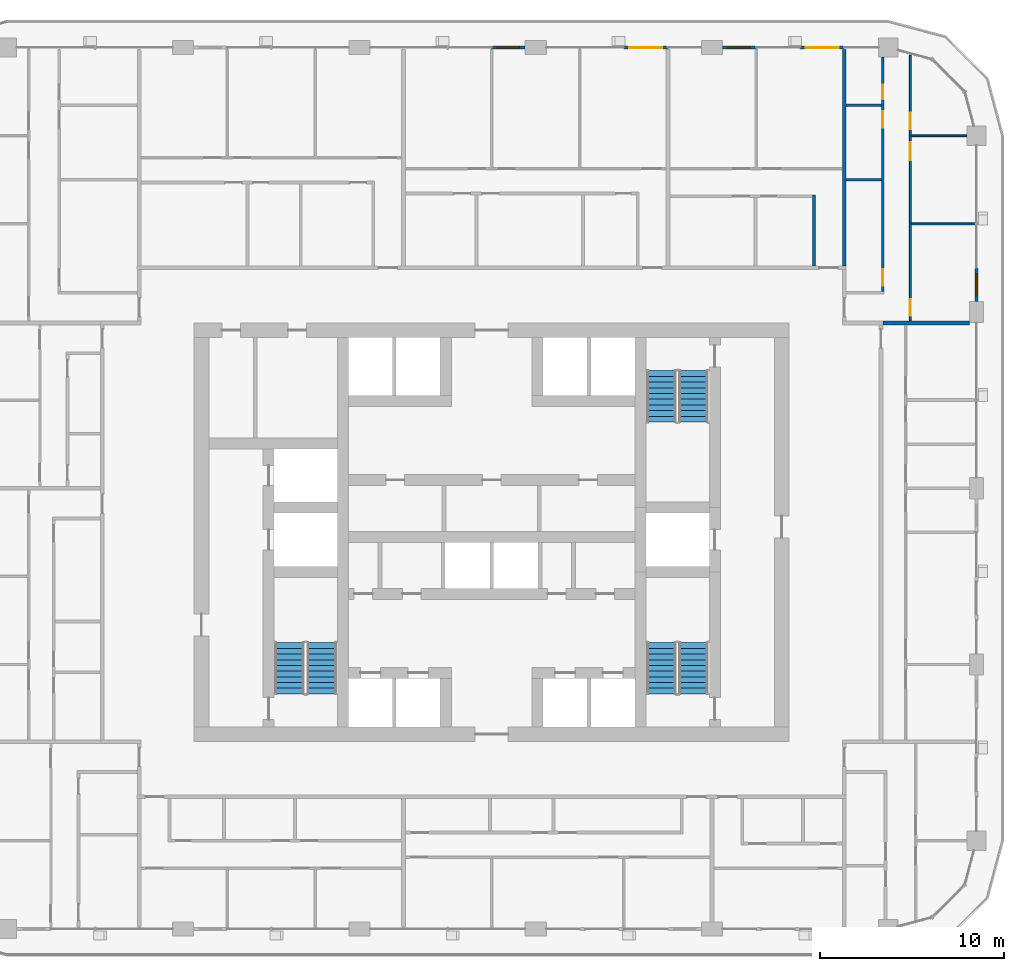
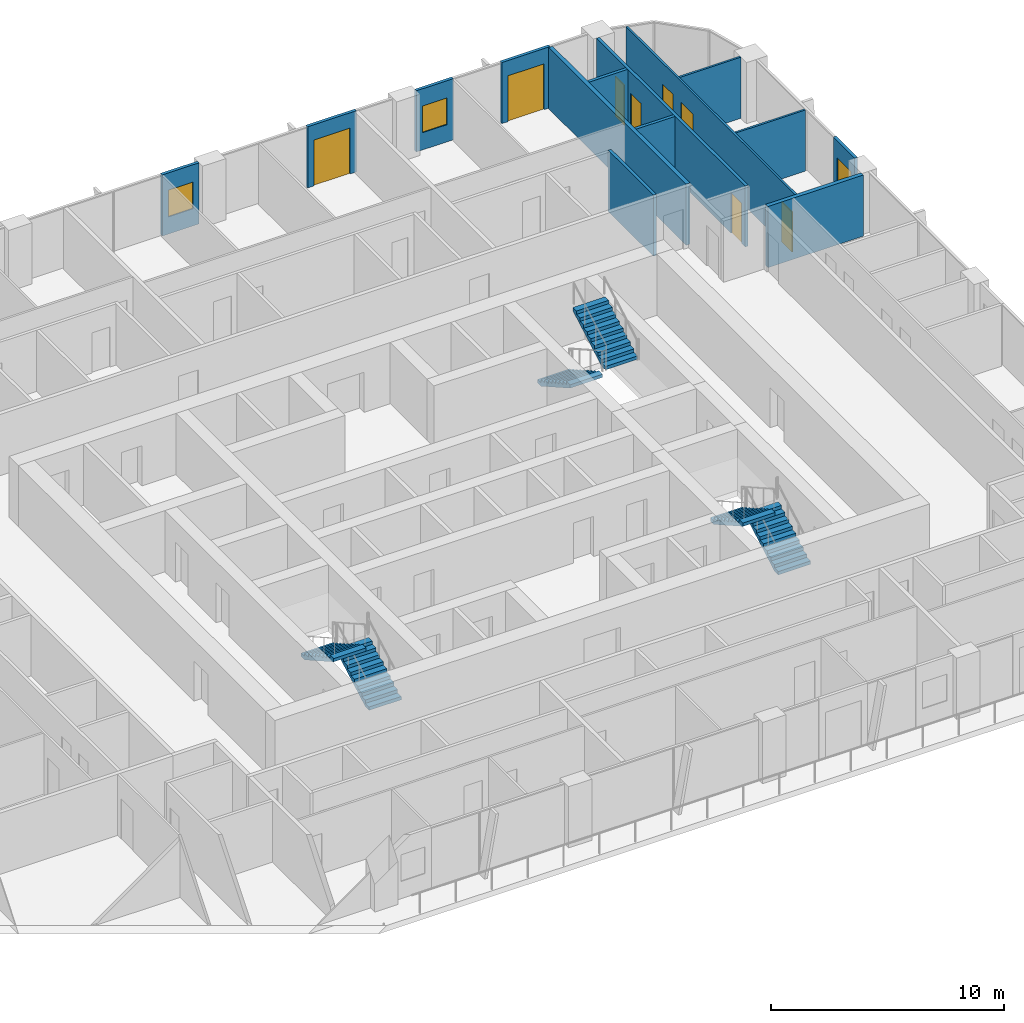
# One storey, part 15 of 22: 14 walls, 8 doors, 6 stair flights, 3 windows, 11 openings, 3 elements without a shape of their own.
"""IFC4 building model written with IfcOpenShell, lengths in metres."""

from ifc_helpers import new_model, si_unit, direction, frame, frame_2d, origin, place, context, subcontext, project, spatial, polyline, rectangle, outline, extrude, material, layer, layer_set, type_object, element, fill, aggregate, save


model = new_model("IFC4")

# Units and contexts
model_context = context("Model", 3, precision=1e-05, world=origin(), true_north=direction((0.0, 1.0)))
body_context = subcontext(model_context, "Body", "Model", "MODEL_VIEW")
ifc_project = project(units=[si_unit("LENGTHUNIT", "METRE"), si_unit("AREAUNIT", "SQUARE_METRE"), si_unit("VOLUMEUNIT", "CUBIC_METRE"), si_unit("PLANEANGLEUNIT", "RADIAN"), si_unit("MASSUNIT", "GRAM", prefix="KILO")], contexts=[model_context])

# Site, building, storey
site_placement = place(None, origin())
site = spatial("IfcSite", under=ifc_project, at=site_placement, CompositionType="ELEMENT")
building_placement = place(site_placement, origin())
building = spatial("IfcBuilding", under=site, at=building_placement, Name="Madar Terraces", CompositionType="ELEMENT")
storey_placement = place(building_placement, frame((0.0, 0.0, 122.60009765625)))
storey = spatial("IfcBuildingStorey", under=building, at=storey_placement, Name="L31", CompositionType="ELEMENT", Elevation=122.60009765625)

# Wall, opening, window
ifc_material_1 = material(Name="Aluminium composite panel, black, over insulated backing", Category="aluminium")
ifc_layer_1 = layer(ifc_material_1, 0.14990234375)
ifc_layer_set_1 = layer_set([ifc_layer_1], Name="Facade bay panel 150")
wall_type_1 = type_object("IfcWallType", Name="Facade bay panel 150", PredefinedType="SOLIDWALL", material=ifc_layer_set_1)
wall_1_placement = place(storey_placement, frame((57.60009765625, 38.97509765625, 0.0), z_axis=(0.0, 0.0, 1.0), x_axis=(0.0, 1.0, 0.0)))
wall_1 = element("IfcWall", 1, at=wall_1_placement, inside=storey, type_object=wall_type_1, Name="Facade bay panel", PredefinedType="SOLIDWALL", context=body_context, shape_type="SweptSolid", body=[
    extrude(rectangle(XDim=1.824951171875, YDim=0.14990234375, at=frame_2d((0.91259765625, 0.0))), origin(), (0.0, 0.0, 1.0), 3.199951171875),
])
opening_1_placement = place(wall_1_placement, frame((0.3125, 0.0, 0.89990234375)))
opening_1 = element("IfcOpeningElement", 2, at=opening_1_placement, cuts=wall_1, Name="Opening W1", PredefinedType="OPENING", context=body_context, shape_type="SweptSolid", body=[
    extrude(rectangle(XDim=1.199951171875, YDim=1.39990234375, at=frame_2d((0.60009765625, 0.699951171875))), frame((0.0, 0.0849609375, 0.0), z_axis=(0.0, -1.0, 0.0), x_axis=(1.0, 0.0, 0.0)), (0.0, 0.0, 1.0), 0.169921875),
])
ifc_material_2 = material(Name="Glass, clear, with black aluminium frame", Category="aluminium")
window_type = type_object("IfcWindowType", Name="Vent window 1200 x 1400", PartitioningType="SINGLE_PANEL", PredefinedType="WINDOW", material=ifc_material_2)
window_1_placement = place(opening_1_placement, origin())
window_1 = element("IfcWindow", 3, at=window_1_placement, inside=storey, type_object=window_type, Name="Operable vent window", OverallHeight=1.39990234375, OverallWidth=1.199951171875, PartitioningType="SINGLE_PANEL", PredefinedType="WINDOW", context=body_context, shape_type="SweptSolid", body=[
    extrude(rectangle(XDim=1.199951171875, YDim=1.39990234375, at=frame_2d((0.60009765625, 0.699951171875))), frame((0.0, 0.030029296875, 0.0), z_axis=(0.0, -1.0, 0.0), x_axis=(1.0, 0.0, 0.0)), (0.0, 0.0, 1.0), 0.06005859375),
])
fill(opening_1, window_1)

# Wall, opening, door
wall_2_placement = place(storey_placement, frame((50.39990234375, 52.800048828125, 0.0), z_axis=(0.0, 0.0, 1.0), x_axis=(-1.0, 0.0, 0.0)))
wall_2 = element("IfcWall", 4, at=wall_2_placement, inside=storey, type_object=wall_type_1, Name="Facade bay panel", PredefinedType="SOLIDWALL", context=body_context, shape_type="SweptSolid", body=[
    extrude(rectangle(XDim=2.39990234375, YDim=0.14990234375, at=frame_2d((1.199951171875, 0.0))), origin(), (0.0, 0.0, 1.0), 3.199951171875),
])
opening_2_placement = place(wall_2_placement, frame((0.300048828125, 0.0, 0.0)))
opening_2 = element("IfcOpeningElement", 5, at=opening_2_placement, cuts=wall_2, Name="Opening ED1", PredefinedType="OPENING", context=body_context, shape_type="SweptSolid", body=[
    extrude(rectangle(XDim=1.800048828125, YDim=2.39990234375, at=frame_2d((0.89990234375, 1.199951171875))), frame((0.0, 0.0849609375, 0.0), z_axis=(0.0, -1.0, 0.0), x_axis=(1.0, 0.0, 0.0)), (0.0, 0.0, 1.0), 0.169921875),
])
ifc_material_3 = material(Name="Glass, clear, with black aluminium frame", Category="aluminium")
door_type_1 = type_object("IfcDoorType", Name="Balcony and terrace sliding door 1800 x 2400", OperationType="SLIDING_TO_LEFT", PredefinedType="DOOR", material=ifc_material_3)
door_1_placement = place(opening_2_placement, origin())
door_1 = element("IfcDoor", 6, at=door_1_placement, inside=storey, type_object=door_type_1, Name="Balcony door", OperationType="SLIDING_TO_LEFT", OverallHeight=2.39990234375, OverallWidth=1.800048828125, PredefinedType="DOOR", context=body_context, shape_type="SweptSolid", body=[
    extrude(rectangle(XDim=1.800048828125, YDim=2.39990234375, at=frame_2d((0.89990234375, 1.199951171875))), frame((0.0, 0.02490234375, 0.0), z_axis=(0.0, -1.0, 0.0), x_axis=(1.0, 0.0, 0.0)), (0.0, 0.0, 1.0), 0.050048828125),
])
fill(opening_2, door_1)

# Wall, opening, window
wall_3_placement = place(storey_placement, frame((45.60009765625, 52.800048828125, 0.0), z_axis=(0.0, 0.0, 1.0), x_axis=(-1.0, 0.0, 0.0)))
wall_3 = element("IfcWall", 7, at=wall_3_placement, inside=storey, type_object=wall_type_1, Name="Facade bay panel", PredefinedType="SOLIDWALL", context=body_context, shape_type="SweptSolid", body=[
    extrude(rectangle(XDim=1.8251953125, YDim=0.14990234375, at=frame_2d((0.91259765625, 0.0))), origin(), (0.0, 0.0, 1.0), 3.199951171875),
])
opening_3_placement = place(wall_3_placement, frame((0.3125, 0.0, 0.89990234375)))
opening_3 = element("IfcOpeningElement", 8, at=opening_3_placement, cuts=wall_3, Name="Opening W1", PredefinedType="OPENING", context=body_context, shape_type="SweptSolid", body=[
    extrude(rectangle(XDim=1.199951171875, YDim=1.39990234375, at=frame_2d((0.60009765625, 0.699951171875))), frame((0.0, 0.0849609375, 0.0), z_axis=(0.0, -1.0, 0.0), x_axis=(1.0, 0.0, 0.0)), (0.0, 0.0, 1.0), 0.169921875),
])
window_2_placement = place(opening_3_placement, origin())
window_2 = element("IfcWindow", 9, at=window_2_placement, inside=storey, type_object=window_type, Name="Operable vent window", OverallHeight=1.39990234375, OverallWidth=1.199951171875, PartitioningType="SINGLE_PANEL", PredefinedType="WINDOW", context=body_context, shape_type="SweptSolid", body=[
    extrude(rectangle(XDim=1.199951171875, YDim=1.39990234375, at=frame_2d((0.60009765625, 0.699951171875))), frame((0.0, 0.030029296875, 0.0), z_axis=(0.0, -1.0, 0.0), x_axis=(1.0, 0.0, 0.0)), (0.0, 0.0, 1.0), 0.06005859375),
])
fill(opening_3, window_2)

# Wall, opening, door
wall_4_placement = place(storey_placement, frame((40.800048828125, 52.800048828125, 0.0), z_axis=(0.0, 0.0, 1.0), x_axis=(-1.0, 0.0, 0.0)))
wall_4 = element("IfcWall", 10, at=wall_4_placement, inside=storey, type_object=wall_type_1, Name="Facade bay panel", PredefinedType="SOLIDWALL", context=body_context, shape_type="SweptSolid", body=[
    extrude(rectangle(XDim=2.400146484375, YDim=0.14990234375, at=frame_2d((1.2001953125, 0.0))), origin(), (0.0, 0.0, 1.0), 3.199951171875),
])
opening_4_placement = place(wall_4_placement, frame((0.300048828125, 0.0, 0.0)))
opening_4 = element("IfcOpeningElement", 11, at=opening_4_placement, cuts=wall_4, Name="Opening ED1", PredefinedType="OPENING", context=body_context, shape_type="SweptSolid", body=[
    extrude(rectangle(XDim=1.800048828125, YDim=2.39990234375, at=frame_2d((0.89990234375, 1.199951171875))), frame((0.0, 0.0849609375, 0.0), z_axis=(0.0, -1.0, 0.0), x_axis=(1.0, 0.0, 0.0)), (0.0, 0.0, 1.0), 0.169921875),
])
door_2_placement = place(opening_4_placement, origin())
door_2 = element("IfcDoor", 12, at=door_2_placement, inside=storey, type_object=door_type_1, Name="Balcony door", OperationType="SLIDING_TO_RIGHT", OverallHeight=2.39990234375, OverallWidth=1.800048828125, PredefinedType="DOOR", context=body_context, shape_type="SweptSolid", body=[
    extrude(rectangle(XDim=1.800048828125, YDim=2.39990234375, at=frame_2d((0.89990234375, 1.199951171875))), frame((0.0, 0.02490234375, 0.0), z_axis=(0.0, -1.0, 0.0), x_axis=(1.0, 0.0, 0.0)), (0.0, 0.0, 1.0), 0.050048828125),
])
fill(opening_4, door_2)

# Wall, opening, window
wall_5_placement = place(storey_placement, frame((33.02490234375, 52.800048828125, 0.0), z_axis=(0.0, 0.0, 1.0), x_axis=(-1.0, 0.0, 0.0)))
wall_5 = element("IfcWall", 13, at=wall_5_placement, inside=storey, type_object=wall_type_1, Name="Facade bay panel", PredefinedType="SOLIDWALL", context=body_context, shape_type="SweptSolid", body=[
    extrude(rectangle(XDim=1.824951171875, YDim=0.14990234375, at=frame_2d((0.91259765625, 0.0))), origin(), (0.0, 0.0, 1.0), 3.199951171875),
])
opening_5_placement = place(wall_5_placement, frame((0.3125, 0.0, 0.89990234375)))
opening_5 = element("IfcOpeningElement", 14, at=opening_5_placement, cuts=wall_5, Name="Opening W1", PredefinedType="OPENING", context=body_context, shape_type="SweptSolid", body=[
    extrude(rectangle(XDim=1.199951171875, YDim=1.39990234375, at=frame_2d((0.60009765625, 0.699951171875))), frame((0.0, 0.0849609375, 0.0), z_axis=(0.0, -1.0, 0.0), x_axis=(1.0, 0.0, 0.0)), (0.0, 0.0, 1.0), 0.169921875),
])
window_3_placement = place(opening_5_placement, origin())
window_3 = element("IfcWindow", 15, at=window_3_placement, inside=storey, type_object=window_type, Name="Operable vent window", OverallHeight=1.39990234375, OverallWidth=1.199951171875, PartitioningType="SINGLE_PANEL", PredefinedType="WINDOW", context=body_context, shape_type="SweptSolid", body=[
    extrude(rectangle(XDim=1.199951171875, YDim=1.39990234375, at=frame_2d((0.60009765625, 0.699951171875))), frame((0.0, 0.030029296875, 0.0), z_axis=(0.0, -1.0, 0.0), x_axis=(1.0, 0.0, 0.0)), (0.0, 0.0, 1.0), 0.06005859375),
])
fill(opening_5, window_3)

# Walls
ifc_material_4 = material(Name="Gypsum board on steel studs", Category="steel")
ifc_layer_2 = layer(ifc_material_4, 0.10009765625)
ifc_layer_set_2 = layer_set([ifc_layer_2], Name="Flat partition 100")
wall_type_2 = type_object("IfcWallType", Name="Flat partition 100", PredefinedType="PARTITIONING", material=ifc_layer_set_2)
wall_6_placement = place(storey_placement, frame((54.050048828125, 43.199951171875, 0.0), z_axis=(0.0, 0.0, 1.0), x_axis=(1.0, 0.0, 0.0)))
element("IfcWall", 16, at=wall_6_placement, inside=storey, type_object=wall_type_2, Name="Flat partition 100", PredefinedType="PARTITIONING", context=body_context, shape_type="SweptSolid", body=[
    extrude(rectangle(XDim=3.449951171875, YDim=0.10009765625, at=frame_2d((1.72509765625, 0.0))), origin(), (0.0, 0.0, 1.0), 3.199951171875),
])
wall_7_placement = place(storey_placement, frame((54.050048828125, 48.0, 0.0), z_axis=(0.0, 0.0, 1.0), x_axis=(1.0, 0.0, 0.0)))
element("IfcWall", 17, at=wall_7_placement, inside=storey, type_object=wall_type_2, Name="Flat partition 100", PredefinedType="PARTITIONING", context=body_context, shape_type="SweptSolid", body=[
    extrude(rectangle(XDim=3.02490234375, YDim=0.10009765625, at=frame_2d((1.512451171875, 0.0))), origin(), (0.0, 0.0, 1.0), 3.199951171875),
])

# Wall, openings, doors
wall_8_placement = place(storey_placement, frame((54.0, 52.37841796875, 0.0), z_axis=(0.0, 0.0, 1.0), x_axis=(0.0, -1.0, 0.0)))
wall_8 = element("IfcWall", 18, at=wall_8_placement, inside=storey, type_object=wall_type_2, Name="Flat partition 100", PredefinedType="PARTITIONING", context=body_context, shape_type="SweptSolid", body=[
    extrude(rectangle(XDim=14.478515625, YDim=0.10009765625, at=frame_2d((7.2392578125, 0.0))), origin(), (0.0, 0.0, 1.0), 3.199951171875),
])
opening_6_placement = place(wall_8_placement, frame((13.278564453125, 0.0, 0.0)))
opening_6 = element("IfcOpeningElement", 19, at=opening_6_placement, cuts=wall_8, Name="Opening D2", PredefinedType="OPENING", context=body_context, shape_type="SweptSolid", body=[
    extrude(rectangle(XDim=0.89990234375, YDim=2.10009765625, at=frame_2d((0.449951171875, 1.050048828125))), frame((0.0, 0.06005859375, 0.0), z_axis=(0.0, -1.0, 0.0), x_axis=(1.0, 0.0, 0.0)), (0.0, 0.0, 1.0), 0.1201171875),
])
opening_7_placement = place(wall_8_placement, frame((4.728515625, 0.0, 0.0)))
opening_7 = element("IfcOpeningElement", 20, at=opening_7_placement, cuts=wall_8, Name="Opening D3", PredefinedType="OPENING", context=body_context, shape_type="SweptSolid", body=[
    extrude(rectangle(XDim=1.0, YDim=2.10009765625, at=frame_2d((0.5, 1.050048828125))), frame((0.0, 0.06005859375, 0.0), z_axis=(0.0, -1.0, 0.0), x_axis=(1.0, 0.0, 0.0)), (0.0, 0.0, 1.0), 0.1201171875),
])
opening_8_placement = place(wall_8_placement, frame((3.12841796875, 0.0, 0.0)))
opening_8 = element("IfcOpeningElement", 21, at=opening_8_placement, cuts=wall_8, Name="Opening D2", PredefinedType="OPENING", context=body_context, shape_type="SweptSolid", body=[
    extrude(rectangle(XDim=0.89990234375, YDim=2.10009765625, at=frame_2d((0.449951171875, 1.050048828125))), frame((0.0, 0.06005859375, 0.0), z_axis=(0.0, -1.0, 0.0), x_axis=(1.0, 0.0, 0.0)), (0.0, 0.0, 1.0), 0.1201171875),
])
ifc_material_5 = material(Name="Timber door leaf", Category="wood")
door_type_2 = type_object("IfcDoorType", Name="Flat living room door 1000", OperationType="NOTDEFINED", PredefinedType="DOOR", material=ifc_material_5)
door_3_placement = place(opening_7_placement, origin())
door_3 = element("IfcDoor", 22, at=door_3_placement, inside=storey, type_object=door_type_2, Name="Flat living room door 1000", OperationType="SINGLE_SWING_LEFT", OverallHeight=2.10009765625, OverallWidth=1.0, PredefinedType="DOOR", context=body_context, shape_type="SweptSolid", body=[
    extrude(rectangle(XDim=1.0, YDim=2.10009765625, at=frame_2d((0.5, 1.050048828125))), frame((0.0, 0.02490234375, 0.0), z_axis=(0.0, -1.0, 0.0), x_axis=(1.0, 0.0, 0.0)), (0.0, 0.0, 1.0), 0.050048828125),
])
fill(opening_7, door_3)
ifc_material_6 = material(Name="Timber door leaf", Category="wood")
door_type_3 = type_object("IfcDoorType", Name="Flat room door 900", OperationType="NOTDEFINED", PredefinedType="DOOR", material=ifc_material_6)
door_4_placement = place(opening_6_placement, origin())
door_4 = element("IfcDoor", 23, at=door_4_placement, inside=storey, type_object=door_type_3, Name="Flat room door 900", OperationType="SINGLE_SWING_RIGHT", OverallHeight=2.10009765625, OverallWidth=0.89990234375, PredefinedType="DOOR", context=body_context, shape_type="SweptSolid", body=[
    extrude(rectangle(XDim=0.89990234375, YDim=2.10009765625, at=frame_2d((0.449951171875, 1.050048828125))), frame((0.0, 0.02490234375, 0.0), z_axis=(0.0, -1.0, 0.0), x_axis=(1.0, 0.0, 0.0)), (0.0, 0.0, 1.0), 0.050048828125),
])
fill(opening_6, door_4)
door_5_placement = place(opening_8_placement, origin())
door_5 = element("IfcDoor", 24, at=door_5_placement, inside=storey, type_object=door_type_3, Name="Flat room door 900", OperationType="SINGLE_SWING_RIGHT", OverallHeight=2.10009765625, OverallWidth=0.89990234375, PredefinedType="DOOR", context=body_context, shape_type="SweptSolid", body=[
    extrude(rectangle(XDim=0.89990234375, YDim=2.10009765625, at=frame_2d((0.449951171875, 1.050048828125))), frame((0.0, 0.02490234375, 0.0), z_axis=(0.0, -1.0, 0.0), x_axis=(1.0, 0.0, 0.0)), (0.0, 0.0, 1.0), 0.050048828125),
])
fill(opening_8, door_5)

# Walls
ifc_material_7 = material(Name="Lightweight blockwork", Category="masonry")
ifc_layer_3 = layer(ifc_material_7, 0.199951171875)
ifc_layer_set_3 = layer_set([ifc_layer_3], Name="Flat party and entrance wall 200")
wall_type_3 = type_object("IfcWallType", Name="Flat party and entrance wall 200", PredefinedType="PARTITIONING", material=ifc_layer_set_3)
wall_9_placement = place(storey_placement, frame((52.5, 37.800048828125, 0.0), z_axis=(0.0, 0.0, 1.0), x_axis=(1.0, 0.0, 0.0)))
element("IfcWall", 25, at=wall_9_placement, inside=storey, type_object=wall_type_3, Name="Flat party and entrance wall 200", PredefinedType="PARTITIONING", context=body_context, shape_type="SweptSolid", body=[
    extrude(rectangle(XDim=4.72509765625, YDim=0.199951171875, at=frame_2d((2.362548828125, 0.0))), origin(), (0.0, 0.0, 1.0), 3.199951171875),
])
wall_10_placement = place(storey_placement, frame((50.39990234375, 40.89990234375, 0.0), z_axis=(0.0, 0.0, 1.0), x_axis=(0.0, 1.0, 0.0)))
element("IfcWall", 26, at=wall_10_placement, inside=storey, type_object=wall_type_3, Name="Flat party and entrance wall 200", PredefinedType="PARTITIONING", context=body_context, shape_type="SweptSolid", body=[
    extrude(rectangle(XDim=11.800048828125, YDim=0.199951171875, at=frame_2d((5.89990234375, 0.0))), origin(), (0.0, 0.0, 1.0), 3.199951171875),
])
ifc_material_8 = material(Name="Lightweight blockwork", Category="masonry")
ifc_layer_4 = layer(ifc_material_8, 0.14990234375)
ifc_layer_set_4 = layer_set([ifc_layer_4], Name="Flat wet-room partition 150")
wall_type_4 = type_object("IfcWallType", Name="Flat wet-room partition 150", PredefinedType="PARTITIONING", material=ifc_layer_set_4)
for number, where, z_axis, x_axis, name in (
    (27, (50.5, 45.605712890625, 0.0), (0.0, 0.0, 1.0), (1.0, 0.0, 0.0), "Flat wet-room partition 150"),
    (28, (50.5, 49.65966796875, 0.0), (0.0, 0.0, 1.0), (1.0, 0.0, 0.0), "Flat wet-room partition 150"),
):
    element("IfcWall", number, at=place(storey_placement, frame(where, z_axis=z_axis, x_axis=x_axis)), inside=storey, type_object=wall_type_4, Name=name, PredefinedType="PARTITIONING", context=body_context, shape_type="SweptSolid", body=[
        extrude(rectangle(XDim=1.925048828125, YDim=0.14990234375, at=frame_2d((0.96240234375, 0.0))), origin(), (0.0, 0.0, 1.0), 3.199951171875),
    ])

# Wall, openings, doors
wall_11_placement = place(storey_placement, frame((52.5, 39.52490234375, 0.0), z_axis=(0.0, 0.0, 1.0), x_axis=(0.0, 1.0, 0.0)))
wall_11 = element("IfcWall", 29, at=wall_11_placement, inside=storey, type_object=wall_type_4, Name="Flat wet-room partition 150", PredefinedType="PARTITIONING", context=body_context, shape_type="SweptSolid", body=[
    extrude(rectangle(XDim=12.75, YDim=0.14990234375, at=frame_2d((6.375, 0.0))), origin(), (0.0, 0.0, 1.0), 3.199951171875),
])
opening_9_placement = place(wall_11_placement, frame((0.300048828125, 0.0, 0.0)))
opening_9 = element("IfcOpeningElement", 30, at=opening_9_placement, cuts=wall_11, Name="Opening D2", PredefinedType="OPENING", context=body_context, shape_type="SweptSolid", body=[
    extrude(rectangle(XDim=0.89990234375, YDim=2.10009765625, at=frame_2d((0.449951171875, 1.050048828125))), frame((0.0, 0.0849609375, 0.0), z_axis=(0.0, -1.0, 0.0), x_axis=(1.0, 0.0, 0.0)), (0.0, 0.0, 1.0), 0.169921875),
])
opening_10_placement = place(wall_11_placement, frame((8.90966796875, 0.0, 0.0)))
opening_10 = element("IfcOpeningElement", 31, at=opening_10_placement, cuts=wall_11, Name="Opening D5", PredefinedType="OPENING", context=body_context, shape_type="SweptSolid", body=[
    extrude(rectangle(XDim=0.89990234375, YDim=2.10009765625, at=frame_2d((0.449951171875, 1.050048828125))), frame((0.0, 0.0849609375, 0.0), z_axis=(0.0, -1.0, 0.0), x_axis=(1.0, 0.0, 0.0)), (0.0, 0.0, 1.0), 0.169921875),
])
opening_11_placement = place(wall_11_placement, frame((10.459716796875, 0.0, 0.0)))
opening_11 = element("IfcOpeningElement", 32, at=opening_11_placement, cuts=wall_11, Name="Opening D4", PredefinedType="OPENING", context=body_context, shape_type="SweptSolid", body=[
    extrude(rectangle(XDim=0.800048828125, YDim=2.10009765625, at=frame_2d((0.39990234375, 1.050048828125))), frame((0.0, 0.0849609375, 0.0), z_axis=(0.0, -1.0, 0.0), x_axis=(1.0, 0.0, 0.0)), (0.0, 0.0, 1.0), 0.169921875),
])
ifc_material_9 = material(Name="Timber door leaf", Category="wood")
door_type_4 = type_object("IfcDoorType", Name="Flat accessible bathroom door 900", OperationType="NOTDEFINED", PredefinedType="DOOR", material=ifc_material_9)
door_6_placement = place(opening_10_placement, origin())
door_6 = element("IfcDoor", 33, at=door_6_placement, inside=storey, type_object=door_type_4, Name="Flat accessible bathroom door 900", OperationType="SINGLE_SWING_RIGHT", OverallHeight=2.10009765625, OverallWidth=0.89990234375, PredefinedType="DOOR", context=body_context, shape_type="SweptSolid", body=[
    extrude(rectangle(XDim=0.89990234375, YDim=2.10009765625, at=frame_2d((0.449951171875, 1.050048828125))), frame((0.0, 0.02490234375, 0.0), z_axis=(0.0, -1.0, 0.0), x_axis=(1.0, 0.0, 0.0)), (0.0, 0.0, 1.0), 0.050048828125),
])
fill(opening_10, door_6)
ifc_material_10 = material(Name="Timber door leaf", Category="wood")
door_type_5 = type_object("IfcDoorType", Name="Flat bathroom door 800", OperationType="NOTDEFINED", PredefinedType="DOOR", material=ifc_material_10)
door_7_placement = place(opening_11_placement, origin())
door_7 = element("IfcDoor", 34, at=door_7_placement, inside=storey, type_object=door_type_5, Name="Flat bathroom door 800", OperationType="SINGLE_SWING_LEFT", OverallHeight=2.10009765625, OverallWidth=0.800048828125, PredefinedType="DOOR", context=body_context, shape_type="SweptSolid", body=[
    extrude(rectangle(XDim=0.800048828125, YDim=2.10009765625, at=frame_2d((0.39990234375, 1.050048828125))), frame((0.0, 0.02490234375, 0.0), z_axis=(0.0, -1.0, 0.0), x_axis=(1.0, 0.0, 0.0)), (0.0, 0.0, 1.0), 0.050048828125),
])
fill(opening_11, door_7)
door_8_placement = place(opening_9_placement, origin())
door_8 = element("IfcDoor", 35, at=door_8_placement, inside=storey, type_object=door_type_3, Name="Flat room door 900", OperationType="SINGLE_SWING_LEFT", OverallHeight=2.10009765625, OverallWidth=0.89990234375, PredefinedType="DOOR", context=body_context, shape_type="SweptSolid", body=[
    extrude(rectangle(XDim=0.89990234375, YDim=2.10009765625, at=frame_2d((0.449951171875, 1.050048828125))), frame((0.0, 0.02490234375, 0.0), z_axis=(0.0, -1.0, 0.0), x_axis=(1.0, 0.0, 0.0)), (0.0, 0.0, 1.0), 0.050048828125),
])
fill(opening_9, door_8)

# Wall
wall_12_placement = place(storey_placement, frame((48.75, 40.89990234375, 0.0), z_axis=(0.0, 0.0, 1.0), x_axis=(0.0, 1.0, 0.0)))
element("IfcWall", 36, at=wall_12_placement, inside=storey, type_object=wall_type_4, Name="Flat wet-room partition 150", PredefinedType="PARTITIONING", context=body_context, shape_type="SweptSolid", body=[
    extrude(rectangle(XDim=3.875, YDim=0.14990234375, at=frame_2d((1.9375, 0.0))), origin(), (0.0, 0.0, 1.0), 3.199951171875),
])

# Stair, stair flights
ifc_material_11 = material(Name="Concrete C50/60", Category="concrete")
stair_type_1 = type_object("IfcStairType", Name="Stair ST1 protected exit", PredefinedType="HALF_TURN_STAIR", material=ifc_material_11)
stair_1_placement = place(storey_placement, origin())
stair_1 = element("IfcStair", 37, at=stair_1_placement, inside=storey, type_object=stair_type_1, Name="L31 Protected Exit Stair ST1", PredefinedType="HALF_TURN_STAIR")
ifc_material_12 = material(Name="Concrete C50/60", Category="concrete")
stair_flight_type_1 = type_object("IfcStairFlightType", Name="Stair flight ST1-F4, 1600 wide, 10 risers", PredefinedType="STRAIGHT", material=ifc_material_12)
stair_flight_1_placement = place(storey_placement, frame((21.949951171875, 17.60009765625, 0.0), z_axis=(0.0, 0.0, 1.0), x_axis=(0.0, 1.0, 0.0)))
stair_flight_1 = element("IfcStairFlight", 38, at=stair_flight_1_placement, type_object=stair_flight_type_1, Name="ST1 flight 1", NumberOfRisers=10, NumberOfTreads=9, PredefinedType="STRAIGHT", RiserHeight=0.175, TreadLength=0.31, context=body_context, shape_type="SweptSolid", body=[
    extrude(outline(polyline([(0.0, 0.0), (0.0, 0.175048828125), (0.31005859375, 0.175048828125), (0.31005859375, 0.35009765625), (0.6201171875, 0.35009765625), (0.6201171875, 0.52490234375), (0.929931640625, 0.52490234375), (0.929931640625, 0.699951171875), (1.239990234375, 0.699951171875), (1.239990234375, 0.875), (1.550048828125, 0.875), (1.550048828125, 1.050048828125), (1.860107421875, 1.050048828125), (1.860107421875, 1.22509765625), (2.169921875, 1.22509765625), (2.169921875, 1.39990234375), (2.47998046875, 1.39990234375), (2.47998046875, 1.574951171875), (2.7900390625, 1.574951171875), (2.7900390625, 1.75), (2.7900390625, 1.40283203125), (0.304931640625, 0.0), (0.0, 0.0)])), frame((0.0, 0.800048828125, 0.0), z_axis=(0.0, -1.0, 0.0), x_axis=(1.0, 0.0, 0.0)), (0.0, 0.0, 1.0), 1.60009765625),
])
stair_flight_2_placement = place(storey_placement, frame((20.199951171875, 20.389892578125, 1.75), z_axis=(0.0, 0.0, 1.0), x_axis=(0.0, -1.0, 0.0)))
stair_flight_2 = element("IfcStairFlight", 39, at=stair_flight_2_placement, type_object=stair_flight_type_1, Name="ST1 flight 2", NumberOfRisers=10, NumberOfTreads=9, PredefinedType="STRAIGHT", RiserHeight=0.175, TreadLength=0.31, context=body_context, shape_type="SweptSolid", body=[
    extrude(outline(polyline([(0.0, 0.0), (0.0, 0.175048828125), (0.31005859375, 0.175048828125), (0.31005859375, 0.35009765625), (0.6201171875, 0.35009765625), (0.6201171875, 0.52490234375), (0.929931640625, 0.52490234375), (0.929931640625, 0.699951171875), (1.239990234375, 0.699951171875), (1.239990234375, 0.875), (1.550048828125, 0.875), (1.550048828125, 1.050048828125), (1.860107421875, 1.050048828125), (1.860107421875, 1.22509765625), (2.169921875, 1.22509765625), (2.169921875, 1.39990234375), (2.47998046875, 1.39990234375), (2.47998046875, 1.574951171875), (2.7900390625, 1.574951171875), (2.7900390625, 1.75), (2.7900390625, 1.40283203125), (0.304931640625, 0.0), (0.0, 0.0)])), frame((0.0, 0.800048828125, 0.0), z_axis=(0.0, -1.0, 0.0), x_axis=(1.0, 0.0, 0.0)), (0.0, 0.0, 1.0), 1.60009765625),
])
aggregate(stair_1, [stair_flight_1, stair_flight_2])

ifc_material_13 = material(Name="Concrete C50/60", Category="concrete")
stair_type_2 = type_object("IfcStairType", Name="Stair ST2 protected exit", PredefinedType="HALF_TURN_STAIR", material=ifc_material_13)
stair_2_placement = place(storey_placement, origin())
stair_2 = element("IfcStair", 40, at=stair_2_placement, inside=storey, type_object=stair_type_2, Name="L31 Protected Exit Stair ST2", PredefinedType="HALF_TURN_STAIR")
ifc_material_14 = material(Name="Concrete C50/60", Category="concrete")
stair_flight_type_2 = type_object("IfcStairFlightType", Name="Stair flight ST2-F4, 1600 wide, 10 risers", PredefinedType="STRAIGHT", material=ifc_material_14)
stair_flight_3_placement = place(storey_placement, frame((40.449951171875, 35.199951171875, 0.0), z_axis=(0.0, 0.0, 1.0), x_axis=(0.0, -1.0, 0.0)))
stair_flight_3 = element("IfcStairFlight", 41, at=stair_flight_3_placement, type_object=stair_flight_type_2, Name="ST2 flight 1", NumberOfRisers=10, NumberOfTreads=9, PredefinedType="STRAIGHT", RiserHeight=0.175, TreadLength=0.31, context=body_context, shape_type="SweptSolid", body=[
    extrude(outline(polyline([(0.0, 0.0), (0.0, 0.175048828125), (0.31005859375, 0.175048828125), (0.31005859375, 0.35009765625), (0.6201171875, 0.35009765625), (0.6201171875, 0.52490234375), (0.929931640625, 0.52490234375), (0.929931640625, 0.699951171875), (1.239990234375, 0.699951171875), (1.239990234375, 0.875), (1.550048828125, 0.875), (1.550048828125, 1.050048828125), (1.860107421875, 1.050048828125), (1.860107421875, 1.22509765625), (2.169921875, 1.22509765625), (2.169921875, 1.39990234375), (2.47998046875, 1.39990234375), (2.47998046875, 1.574951171875), (2.7900390625, 1.574951171875), (2.7900390625, 1.75), (2.7900390625, 1.40283203125), (0.304931640625, 0.0), (0.0, 0.0)])), frame((0.0, 0.800048828125, 0.0), z_axis=(0.0, -1.0, 0.0), x_axis=(1.0, 0.0, 0.0)), (0.0, 0.0, 1.0), 1.60009765625),
])
stair_flight_4_placement = place(storey_placement, frame((42.199951171875, 32.409912109375, 1.75), z_axis=(0.0, 0.0, 1.0), x_axis=(0.0, 1.0, 0.0)))
stair_flight_4 = element("IfcStairFlight", 42, at=stair_flight_4_placement, type_object=stair_flight_type_2, Name="ST2 flight 2", NumberOfRisers=10, NumberOfTreads=9, PredefinedType="STRAIGHT", RiserHeight=0.175, TreadLength=0.31, context=body_context, shape_type="SweptSolid", body=[
    extrude(outline(polyline([(0.0, 0.0), (0.0, 0.175048828125), (0.31005859375, 0.175048828125), (0.31005859375, 0.35009765625), (0.6201171875, 0.35009765625), (0.6201171875, 0.52490234375), (0.929931640625, 0.52490234375), (0.929931640625, 0.699951171875), (1.239990234375, 0.699951171875), (1.239990234375, 0.875), (1.550048828125, 0.875), (1.550048828125, 1.050048828125), (1.860107421875, 1.050048828125), (1.860107421875, 1.22509765625), (2.169921875, 1.22509765625), (2.169921875, 1.39990234375), (2.47998046875, 1.39990234375), (2.47998046875, 1.574951171875), (2.7900390625, 1.574951171875), (2.7900390625, 1.75), (2.7900390625, 1.40283203125), (0.304931640625, 0.0), (0.0, 0.0)])), frame((0.0, 0.800048828125, 0.0), z_axis=(0.0, -1.0, 0.0), x_axis=(1.0, 0.0, 0.0)), (0.0, 0.0, 1.0), 1.60009765625),
])
aggregate(stair_2, [stair_flight_3, stair_flight_4])

ifc_material_15 = material(Name="Concrete C50/60", Category="concrete")
stair_type_3 = type_object("IfcStairType", Name="Stair ST3 protected exit", PredefinedType="HALF_TURN_STAIR", material=ifc_material_15)
stair_3_placement = place(storey_placement, origin())
stair_3 = element("IfcStair", 43, at=stair_3_placement, inside=storey, type_object=stair_type_3, Name="L31 Protected Exit Stair ST3", PredefinedType="HALF_TURN_STAIR")
ifc_material_16 = material(Name="Concrete C50/60", Category="concrete")
stair_flight_type_3 = type_object("IfcStairFlightType", Name="Stair flight ST3-F4, 1600 wide, 10 risers", PredefinedType="STRAIGHT", material=ifc_material_16)
stair_flight_5_placement = place(storey_placement, frame((42.199951171875, 17.60009765625, 0.0), z_axis=(0.0, 0.0, 1.0), x_axis=(0.0, 1.0, 0.0)))
stair_flight_5 = element("IfcStairFlight", 44, at=stair_flight_5_placement, type_object=stair_flight_type_3, Name="ST3 flight 1", NumberOfRisers=10, NumberOfTreads=9, PredefinedType="STRAIGHT", RiserHeight=0.175, TreadLength=0.31, context=body_context, shape_type="SweptSolid", body=[
    extrude(outline(polyline([(0.0, 0.0), (0.0, 0.175048828125), (0.31005859375, 0.175048828125), (0.31005859375, 0.35009765625), (0.6201171875, 0.35009765625), (0.6201171875, 0.52490234375), (0.929931640625, 0.52490234375), (0.929931640625, 0.699951171875), (1.239990234375, 0.699951171875), (1.239990234375, 0.875), (1.550048828125, 0.875), (1.550048828125, 1.050048828125), (1.860107421875, 1.050048828125), (1.860107421875, 1.22509765625), (2.169921875, 1.22509765625), (2.169921875, 1.39990234375), (2.47998046875, 1.39990234375), (2.47998046875, 1.574951171875), (2.7900390625, 1.574951171875), (2.7900390625, 1.75), (2.7900390625, 1.40283203125), (0.304931640625, 0.0), (0.0, 0.0)])), frame((0.0, 0.800048828125, 0.0), z_axis=(0.0, -1.0, 0.0), x_axis=(1.0, 0.0, 0.0)), (0.0, 0.0, 1.0), 1.60009765625),
])
stair_flight_6_placement = place(storey_placement, frame((40.449951171875, 20.389892578125, 1.75), z_axis=(0.0, 0.0, 1.0), x_axis=(0.0, -1.0, 0.0)))
stair_flight_6 = element("IfcStairFlight", 45, at=stair_flight_6_placement, type_object=stair_flight_type_3, Name="ST3 flight 2", NumberOfRisers=10, NumberOfTreads=9, PredefinedType="STRAIGHT", RiserHeight=0.175, TreadLength=0.31, context=body_context, shape_type="SweptSolid", body=[
    extrude(outline(polyline([(0.0, 0.0), (0.0, 0.175048828125), (0.31005859375, 0.175048828125), (0.31005859375, 0.35009765625), (0.6201171875, 0.35009765625), (0.6201171875, 0.52490234375), (0.929931640625, 0.52490234375), (0.929931640625, 0.699951171875), (1.239990234375, 0.699951171875), (1.239990234375, 0.875), (1.550048828125, 0.875), (1.550048828125, 1.050048828125), (1.860107421875, 1.050048828125), (1.860107421875, 1.22509765625), (2.169921875, 1.22509765625), (2.169921875, 1.39990234375), (2.47998046875, 1.39990234375), (2.47998046875, 1.574951171875), (2.7900390625, 1.574951171875), (2.7900390625, 1.75), (2.7900390625, 1.40283203125), (0.304931640625, 0.0), (0.0, 0.0)])), frame((0.0, 0.800048828125, 0.0), z_axis=(0.0, -1.0, 0.0), x_axis=(1.0, 0.0, 0.0)), (0.0, 0.0, 1.0), 1.60009765625),
])
aggregate(stair_3, [stair_flight_5, stair_flight_6])

save(model, "model.ifc")
